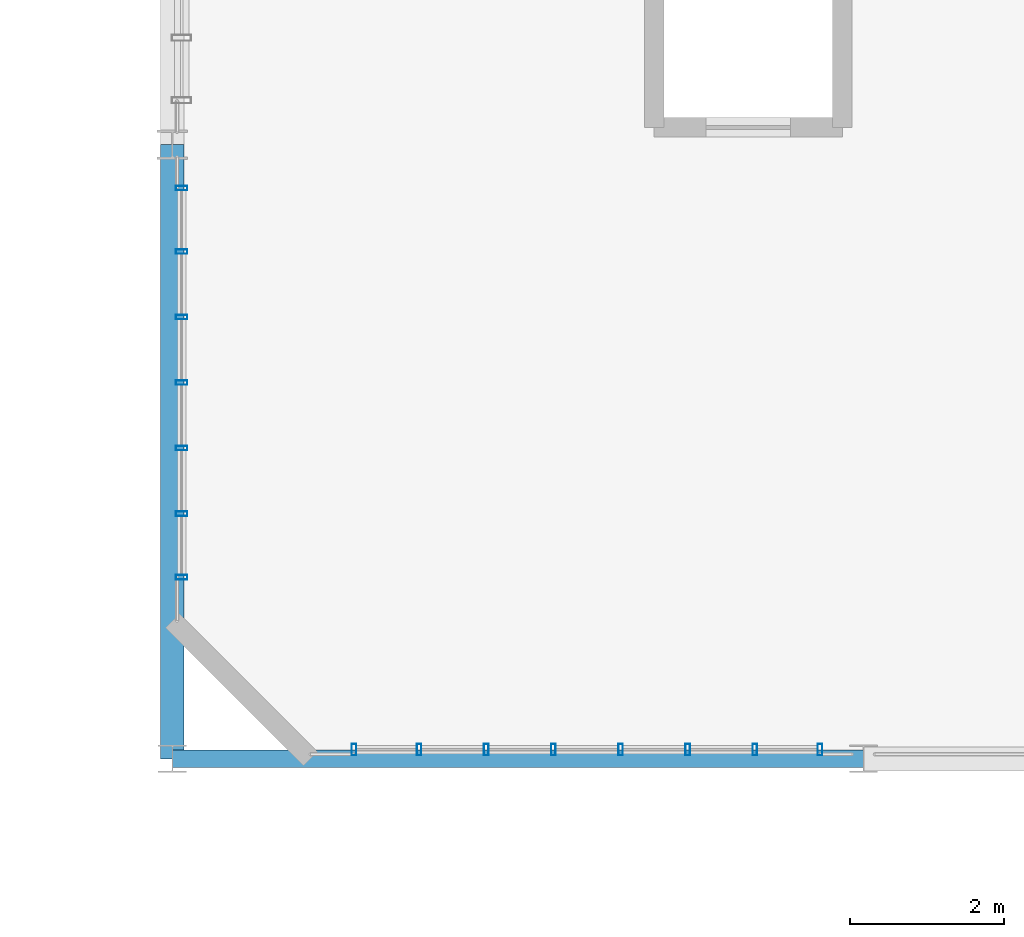
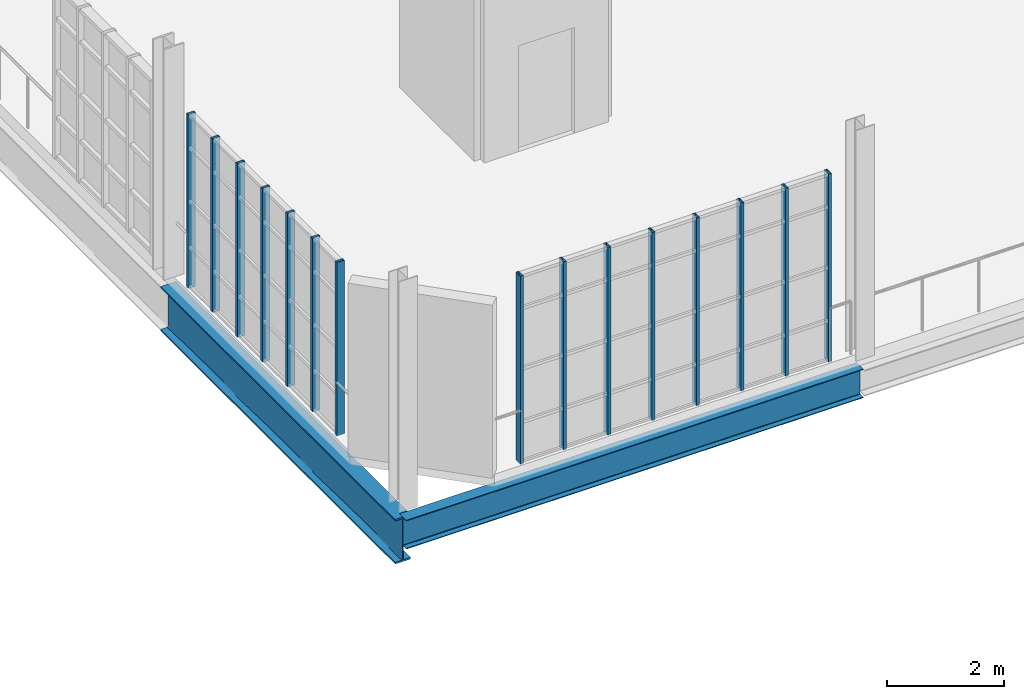
# One storey, part 25 of 118: 15 members, 2 beams, 2 elements without a shape of their own.
"""IFC4 building model written with IfcOpenShell, lengths in metres."""

from ifc_helpers import new_model, si_unit, direction, frame, origin, origin_2d, place, context, subcontext, project, spatial, hollow_rectangle, i_section, extrude, material, layer, layer_set, material_profile, profile_set, type_object, element, aggregate, save


model = new_model("IFC4")

# Units and contexts
model_context = context("Model", 3, precision=1e-05, world=origin(), true_north=direction((0.0, 1.0)))
body_context = subcontext(model_context, "Body", "Model", "MODEL_VIEW")
ifc_project = project(units=[si_unit("LENGTHUNIT", "METRE"), si_unit("AREAUNIT", "SQUARE_METRE"), si_unit("VOLUMEUNIT", "CUBIC_METRE"), si_unit("PLANEANGLEUNIT", "RADIAN"), si_unit("MASSUNIT", "GRAM", prefix="KILO"), si_unit("THERMODYNAMICTEMPERATUREUNIT", "KELVIN"), si_unit("POWERUNIT", "WATT")], contexts=[model_context])

# Site, building, storey
site_placement = place(None, origin())
site = spatial("IfcSite", under=ifc_project, at=site_placement, CompositionType="ELEMENT")
building_placement = place(site_placement, origin())
building = spatial("IfcBuilding", under=site, at=building_placement, Name="Zelmaris Science Centre", CompositionType="ELEMENT")
storey_placement = place(building_placement, frame((0.0, 0.0, 15.60009765625)))
storey = spatial("IfcBuildingStorey", under=building, at=storey_placement, Name="L03", CompositionType="ELEMENT", Elevation=15.60009765625)

# Curtain wall, members
ifc_material_1 = material(Name="Anodised architectural aluminium 6063-T6", Category="aluminium")
ifc_layer = layer(ifc_material_1, 0.219970703125, Name="Anodised architectural aluminium 6063-T6")
ifc_layer_set = layer_set([ifc_layer], Name="Anodised architectural aluminium 6063-T6")
curtain_wall_type = type_object("IfcCurtainWallType", Name="Curtain Wall CW-04", PredefinedType="USERDEFINED", material=ifc_layer_set)
curtain_wall_1_placement = place(storey_placement, origin())
curtain_wall_1 = element("IfcCurtainWall", 1, at=curtain_wall_1_placement, inside=storey, type_object=curtain_wall_type, Name="L03 Unitised curtain wall 276", ObjectType="GLAZED CURTAIN WALL", PredefinedType="USERDEFINED")
ifc_material_profile_1 = material_profile(ifc_material_1, hollow_rectangle(XDim=0.06005859375, YDim=0.14990234375, WallThickness=0.00341796875, at=origin_2d()), Name="ALU-MUL-60X150")
ifc_profile_set_1 = profile_set([ifc_material_profile_1], Name="Anodised architectural aluminium 6063-T6")
member_type = type_object("IfcMemberType", Name="ALU-MUL-60X150", PredefinedType="MULLION", material=ifc_profile_set_1)
member_1_placement = place(storey_placement, frame((54.1201171875, 66.365966796875, -0.01513671875), z_axis=(0.0, 0.0, 1.0), x_axis=(0.0, 1.0, 0.0)))
member_1 = element("IfcMember", 2, at=member_1_placement, type_object=member_type, Name="CW-04 mullion 1", PredefinedType="MULLION", context=body_context, shape_type="SweptSolid", body=[
    extrude(hollow_rectangle(XDim=0.06005859375, YDim=0.14990234375, WallThickness=0.00341796875, at=origin_2d()), origin(), (0.0, 0.0, 1.0), 3.617919921875),
])
member_2_placement = place(storey_placement, frame((54.1201171875, 67.193359375, -0.01513671875), z_axis=(0.0, 0.0, 1.0), x_axis=(0.0, 1.0, 0.0)))
member_2 = element("IfcMember", 3, at=member_2_placement, type_object=member_type, Name="CW-04 mullion 2", PredefinedType="MULLION", context=body_context, shape_type="SweptSolid", body=[
    extrude(hollow_rectangle(XDim=0.06005859375, YDim=0.14990234375, WallThickness=0.00341796875, at=origin_2d()), origin(), (0.0, 0.0, 1.0), 3.617919921875),
])
member_3_placement = place(storey_placement, frame((54.1201171875, 68.046630859375, -0.01513671875), z_axis=(0.0, 0.0, 1.0), x_axis=(0.0, 1.0, 0.0)))
member_3 = element("IfcMember", 4, at=member_3_placement, type_object=member_type, Name="CW-04 mullion 3", PredefinedType="MULLION", context=body_context, shape_type="SweptSolid", body=[
    extrude(hollow_rectangle(XDim=0.06005859375, YDim=0.14990234375, WallThickness=0.00341796875, at=origin_2d()), origin(), (0.0, 0.0, 1.0), 3.617919921875),
])
member_4_placement = place(storey_placement, frame((54.1201171875, 68.89990234375, -0.01513671875), z_axis=(0.0, 0.0, 1.0), x_axis=(0.0, 1.0, 0.0)))
member_4 = element("IfcMember", 5, at=member_4_placement, type_object=member_type, Name="CW-04 mullion 4", PredefinedType="MULLION", context=body_context, shape_type="SweptSolid", body=[
    extrude(hollow_rectangle(XDim=0.06005859375, YDim=0.14990234375, WallThickness=0.00341796875, at=origin_2d()), origin(), (0.0, 0.0, 1.0), 3.617919921875),
])
member_5_placement = place(storey_placement, frame((54.1201171875, 69.75341796875, -0.01513671875), z_axis=(0.0, 0.0, 1.0), x_axis=(0.0, 1.0, 0.0)))
member_5 = element("IfcMember", 6, at=member_5_placement, type_object=member_type, Name="CW-04 mullion 5", PredefinedType="MULLION", context=body_context, shape_type="SweptSolid", body=[
    extrude(hollow_rectangle(XDim=0.06005859375, YDim=0.14990234375, WallThickness=0.00341796875, at=origin_2d()), origin(), (0.0, 0.0, 1.0), 3.617919921875),
])
member_6_placement = place(storey_placement, frame((54.1201171875, 70.606689453125, -0.01513671875), z_axis=(0.0, 0.0, 1.0), x_axis=(0.0, 1.0, 0.0)))
member_6 = element("IfcMember", 7, at=member_6_placement, type_object=member_type, Name="CW-04 mullion 6", PredefinedType="MULLION", context=body_context, shape_type="SweptSolid", body=[
    extrude(hollow_rectangle(XDim=0.06005859375, YDim=0.14990234375, WallThickness=0.00341796875, at=origin_2d()), origin(), (0.0, 0.0, 1.0), 3.617919921875),
])
member_7_placement = place(storey_placement, frame((54.1201171875, 71.43408203125, -0.01513671875), z_axis=(0.0, 0.0, 1.0), x_axis=(0.0, 1.0, 0.0)))
member_7 = element("IfcMember", 8, at=member_7_placement, type_object=member_type, Name="CW-04 mullion 7", PredefinedType="MULLION", context=body_context, shape_type="SweptSolid", body=[
    extrude(hollow_rectangle(XDim=0.06005859375, YDim=0.14990234375, WallThickness=0.00341796875, at=origin_2d()), origin(), (0.0, 0.0, 1.0), 3.617919921875),
])
aggregate(curtain_wall_1, [member_1, member_2, member_3, member_4, member_5, member_6, member_7])

curtain_wall_2_placement = place(storey_placement, origin())
curtain_wall_2 = element("IfcCurtainWall", 9, at=curtain_wall_2_placement, inside=storey, type_object=curtain_wall_type, Name="L03 Unitised curtain wall 320", ObjectType="GLAZED CURTAIN WALL", PredefinedType="USERDEFINED")
member_8_placement = place(storey_placement, frame((62.43408203125, 64.1201171875, -0.01513671875), z_axis=(0.0, 0.0, 1.0), x_axis=(-0.999999999994, 3.490659e-06, 0.0)))
member_8 = element("IfcMember", 10, at=member_8_placement, type_object=member_type, Name="CW-04 mullion 1", PredefinedType="MULLION", context=body_context, shape_type="SweptSolid", body=[
    extrude(hollow_rectangle(XDim=0.06005859375, YDim=0.14990234375, WallThickness=0.00341796875, at=origin_2d()), origin(), (0.0, 0.0, 1.0), 3.91796875),
])
member_9_placement = place(storey_placement, frame((61.585693359375, 64.1201171875, -0.01513671875), z_axis=(0.0, 0.0, 1.0), x_axis=(-0.999999999994, 3.490659e-06, 0.0)))
member_9 = element("IfcMember", 11, at=member_9_placement, type_object=member_type, Name="CW-04 mullion 2", PredefinedType="MULLION", context=body_context, shape_type="SweptSolid", body=[
    extrude(hollow_rectangle(XDim=0.06005859375, YDim=0.14990234375, WallThickness=0.00341796875, at=origin_2d()), origin(), (0.0, 0.0, 1.0), 3.91796875),
])
member_10_placement = place(storey_placement, frame((60.71142578125, 64.1201171875, -0.01513671875), z_axis=(0.0, 0.0, 1.0), x_axis=(-0.999999999994, 3.490659e-06, 0.0)))
member_10 = element("IfcMember", 12, at=member_10_placement, type_object=member_type, Name="CW-04 mullion 3", PredefinedType="MULLION", context=body_context, shape_type="SweptSolid", body=[
    extrude(hollow_rectangle(XDim=0.06005859375, YDim=0.14990234375, WallThickness=0.00341796875, at=origin_2d()), origin(), (0.0, 0.0, 1.0), 3.91796875),
])
member_11_placement = place(storey_placement, frame((59.837158203125, 64.1201171875, -0.01513671875), z_axis=(0.0, 0.0, 1.0), x_axis=(-0.999999999994, 3.490659e-06, 0.0)))
member_11 = element("IfcMember", 13, at=member_11_placement, type_object=member_type, Name="CW-04 mullion 4", PredefinedType="MULLION", context=body_context, shape_type="SweptSolid", body=[
    extrude(hollow_rectangle(XDim=0.06005859375, YDim=0.14990234375, WallThickness=0.00341796875, at=origin_2d()), origin(), (0.0, 0.0, 1.0), 3.91796875),
])
member_12_placement = place(storey_placement, frame((58.962890625, 64.1201171875, -0.01513671875), z_axis=(0.0, 0.0, 1.0), x_axis=(-0.999999999994, 3.490659e-06, 0.0)))
member_12 = element("IfcMember", 14, at=member_12_placement, type_object=member_type, Name="CW-04 mullion 5", PredefinedType="MULLION", context=body_context, shape_type="SweptSolid", body=[
    extrude(hollow_rectangle(XDim=0.06005859375, YDim=0.14990234375, WallThickness=0.00341796875, at=origin_2d()), origin(), (0.0, 0.0, 1.0), 3.91796875),
])
member_13_placement = place(storey_placement, frame((58.088623046875, 64.1201171875, -0.01513671875), z_axis=(0.0, 0.0, 1.0), x_axis=(-0.999999999994, 3.490659e-06, 0.0)))
member_13 = element("IfcMember", 15, at=member_13_placement, type_object=member_type, Name="CW-04 mullion 6", PredefinedType="MULLION", context=body_context, shape_type="SweptSolid", body=[
    extrude(hollow_rectangle(XDim=0.06005859375, YDim=0.14990234375, WallThickness=0.00341796875, at=origin_2d()), origin(), (0.0, 0.0, 1.0), 3.91796875),
])
member_14_placement = place(storey_placement, frame((57.21435546875, 64.1201171875, -0.01513671875), z_axis=(0.0, 0.0, 1.0), x_axis=(-0.999999999994, 3.490659e-06, 0.0)))
member_14 = element("IfcMember", 16, at=member_14_placement, type_object=member_type, Name="CW-04 mullion 7", PredefinedType="MULLION", context=body_context, shape_type="SweptSolid", body=[
    extrude(hollow_rectangle(XDim=0.06005859375, YDim=0.14990234375, WallThickness=0.00341796875, at=origin_2d()), origin(), (0.0, 0.0, 1.0), 3.91796875),
])
member_15_placement = place(storey_placement, frame((56.365966796875, 64.1201171875, -0.01513671875), z_axis=(0.0, 0.0, 1.0), x_axis=(-0.999999999994, 3.490659e-06, 0.0)))
member_15 = element("IfcMember", 17, at=member_15_placement, type_object=member_type, Name="CW-04 mullion 8", PredefinedType="MULLION", context=body_context, shape_type="SweptSolid", body=[
    extrude(hollow_rectangle(XDim=0.06005859375, YDim=0.14990234375, WallThickness=0.00341796875, at=origin_2d()), origin(), (0.0, 0.0, 1.0), 3.91796875),
])
aggregate(curtain_wall_2, [member_8, member_9, member_10, member_11, member_12, member_13, member_14, member_15])

# Beams
ifc_material_2 = material(Name="Steel ASTM A992 Grade 50", Category="steel")
ifc_material_profile_2 = material_profile(ifc_material_2, i_section(OverallWidth=0.306884765625, OverallDepth=0.927001953125, WebThickness=0.019287109375, FlangeThickness=0.031982421875, FilletRadius=0.02392578125, at=origin_2d()), Name="W36X194")
ifc_profile_set_2 = profile_set([ifc_material_profile_2], Name="Steel ASTM A992 Grade 50")
beam_type_1 = type_object("IfcBeamType", Name="Beam G-03 W36X194", PredefinedType="BEAM", material=ifc_profile_set_2)
beam_1_placement = place(storey_placement, frame((54.0, 64.0, -0.7236328125), z_axis=(0.0, 1.0, 0.0), x_axis=(-1.0, 0.0, 0.0)))
element("IfcBeam", 18, at=beam_1_placement, inside=storey, type_object=beam_type_1, Name="L03 North-south girder 682", PredefinedType="BEAM", context=body_context, shape_type="SweptSolid", body=[
    extrude(i_section(OverallWidth=0.306884765625, OverallDepth=0.927001953125, WebThickness=0.019287109375, FlangeThickness=0.031982421875, FilletRadius=0.02392578125, at=origin_2d()), origin(), (0.0, 0.0, 1.0), 8.0),
])
ifc_material_profile_3 = material_profile(ifc_material_2, i_section(OverallWidth=0.22900390625, OverallDepth=0.60205078125, WebThickness=0.010498046875, FlangeThickness=0.014892578125, FilletRadius=0.014892578125, at=origin_2d()), Name="W24X68")
ifc_profile_set_3 = profile_set([ifc_material_profile_3], Name="Steel ASTM A992 Grade 50")
beam_type_2 = type_object("IfcBeamType", Name="Beam G-17 W24X68", PredefinedType="BEAM", material=ifc_profile_set_3)
beam_2_placement = place(storey_placement, frame((54.0, 64.0, -0.56103515625), z_axis=(1.0, 0.0, 0.0), x_axis=(0.0, 1.0, 0.0)))
element("IfcBeam", 19, at=beam_2_placement, inside=storey, type_object=beam_type_2, Name="L03 East-west girder 754", PredefinedType="BEAM", context=body_context, shape_type="SweptSolid", body=[
    extrude(i_section(OverallWidth=0.22900390625, OverallDepth=0.60205078125, WebThickness=0.010498046875, FlangeThickness=0.014892578125, FilletRadius=0.014892578125, at=origin_2d()), origin(), (0.0, 0.0, 1.0), 9.0),
])

save(model, "model.ifc")
